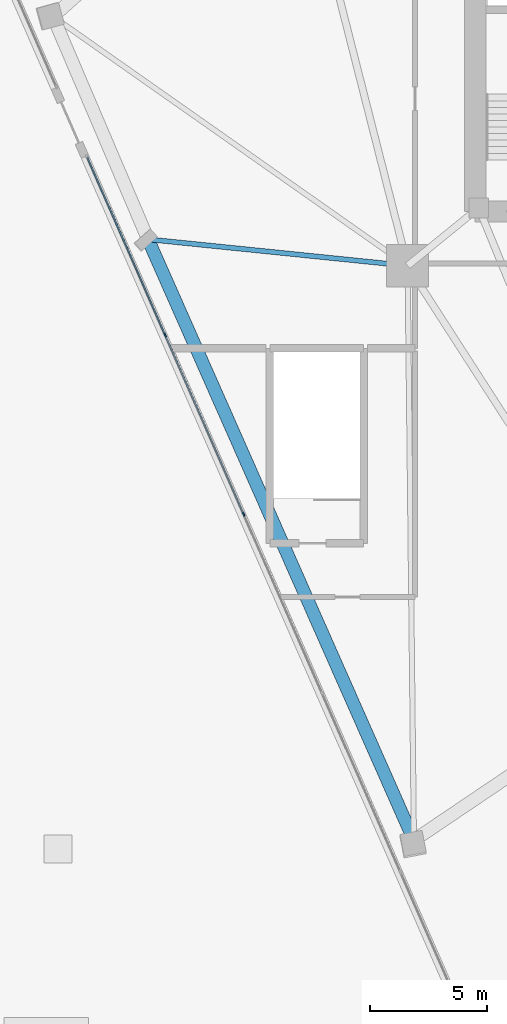
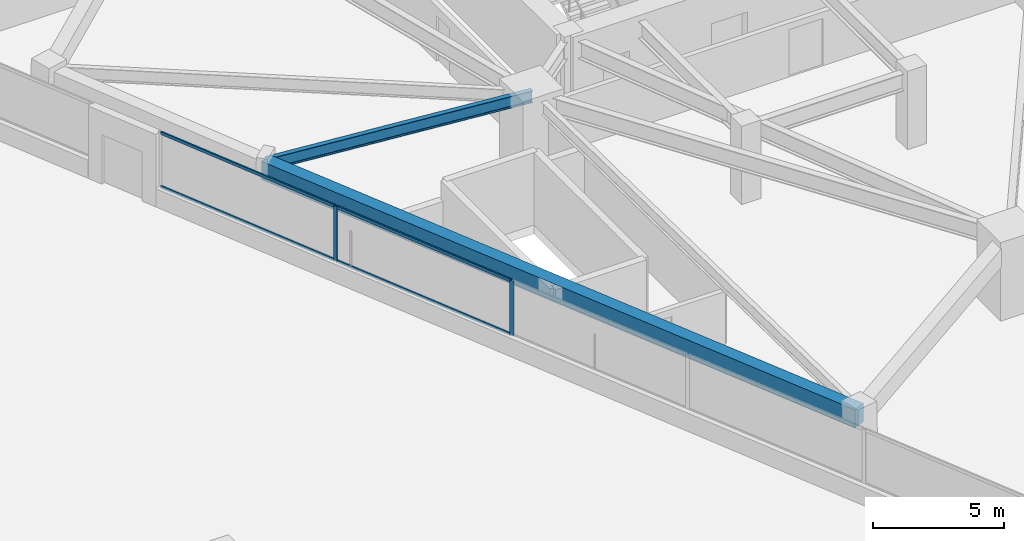
# One storey, part 5 of 21: 6 members, 2 beams, 1 element without a shape of its own.
"""IFC4 building model written with IfcOpenShell, lengths in metres."""

import ifcopenshell
import ifcopenshell.guid

model = None  # the IFC model being written
_history = None  # IfcOwnerHistory: only IFC2X3 demands one
_inside = {}  # id of a spatial element -> (the spatial element, [elements in it])
_under = {}  # id of a project, library or spatial element -> (it, [spatial elements below it])
_declared = {}  # id of a project -> (the project, [libraries it declares])
_typed = {}  # id of a type object -> (the type object, [elements of that type])
_made_of = {}  # id of a material, layer set ... -> (it, [elements and type objects made of it])


def new_model(schema):
    """Start an empty IFC model of exactly this schema.

    Asked for "IFC4X3", IfcOpenShell would pick the latest addendum, in which some entities
    have other attributes; the version numbers below select the first issue.
    IFC2X3 requires an IfcOwnerHistory on every rooted entity: one is made here for all.
    """
    global model, _history
    if schema == "IFC4X3":
        model = ifcopenshell.file(schema_version=(4, 3, 0, 0))
    else:
        model = ifcopenshell.file(schema=schema)
    _inside.clear()
    _under.clear()
    _declared.clear()
    _typed.clear()
    _made_of.clear()
    _history = None
    if model.schema == "IFC2X3":
        org = make("IfcOrganization", Name="unknown")
        user = make(
            "IfcPersonAndOrganization",
            ThePerson=make("IfcPerson", FamilyName="unknown"),
            TheOrganization=org,
        )
        app = make(
            "IfcApplication",
            ApplicationDeveloper=org,
            Version="unknown",
            ApplicationFullName="unknown",
            ApplicationIdentifier="unknown",
        )
        _history = make(
            "IfcOwnerHistory",
            OwningUser=user,
            OwningApplication=app,
            ChangeAction="ADDED",
            CreationDate=0,
        )
    return model


def make(cls, **values):
    """One entity of the class cls with the attributes given. An attribute that is None is left unset."""
    return model.create_entity(
        cls, **{name: value for name, value in values.items() if value is not None}
    )


def rooted(cls, **values):
    """An entity with a GlobalId (a new one), such as an element, a storey or a relation."""
    return make(cls, GlobalId=ifcopenshell.guid.new(), OwnerHistory=_history, **values)


def si_unit(unit_type, name, prefix=None):
    """IfcSIUnit, for example si_unit("LENGTHUNIT", "METRE", prefix="MILLI")."""
    return make("IfcSIUnit", UnitType=unit_type, Prefix=prefix, Name=name)


def assignment(units):
    """IfcUnitAssignment: the units of a project."""
    return None if units is None else make("IfcUnitAssignment", Units=units)


def point(xyz):
    """IfcCartesianPoint."""
    return None if xyz is None else make("IfcCartesianPoint", Coordinates=xyz)


def direction(xyz):
    """IfcDirection."""
    return None if xyz is None else make("IfcDirection", DirectionRatios=xyz)


def frame(location, z_axis=None, x_axis=None):
    """IfcAxis2Placement3D, a coordinate frame: its origin and axes. An axis left out is left unset."""
    return make(
        "IfcAxis2Placement3D",
        Location=point(location),
        Axis=direction(z_axis),
        RefDirection=direction(x_axis),
    )


def frame_2d(location, x_axis=None):
    """IfcAxis2Placement2D, a coordinate frame in the plane: its origin and x axis."""
    return make(
        "IfcAxis2Placement2D", Location=point(location), RefDirection=direction(x_axis)
    )


def origin():
    """The frame at (0, 0, 0) with its axes left unset."""
    return frame((0.0, 0.0, 0.0))


def origin_2d():
    """The frame at (0, 0) in the plane with its x axis left unset."""
    return frame_2d((0.0, 0.0))


def place(relative_to, where):
    """IfcLocalPlacement: puts the frame where relative to a parent placement (None: the world)."""
    return make(
        "IfcLocalPlacement", PlacementRelTo=relative_to, RelativePlacement=where
    )


def context(
    kind, dimensions, precision=None, world=None, true_north=None, identifier=None
):
    """IfcGeometricRepresentationContext, for example the 3D "Model" context."""
    return make(
        "IfcGeometricRepresentationContext",
        ContextIdentifier=identifier,
        ContextType=kind,
        CoordinateSpaceDimension=dimensions,
        Precision=precision,
        WorldCoordinateSystem=world,
        TrueNorth=true_north,
    )


def subcontext(parent, identifier, kind, view, scale=None):
    """IfcGeometricRepresentationSubContext, for example "Body" below "Model"."""
    return make(
        "IfcGeometricRepresentationSubContext",
        ContextIdentifier=identifier,
        ContextType=kind,
        ParentContext=parent,
        TargetScale=scale,
        TargetView=view,
    )


def project(units=None, contexts=None):
    """IfcProject with its units and contexts."""
    return rooted(
        "IfcProject",
        Name="project",
        RepresentationContexts=contexts,
        UnitsInContext=assignment(units),
    )


def spatial(cls, under=None, at=None, **own):
    """A site, building, storey or space (cls), placed at a placement, below another one or the project."""
    s = rooted(cls, ObjectPlacement=at, **own)
    if under is not None:
        _under.setdefault(under.id(), (under, []))[1].append(s)
    return s


def profile(cls, at=None, kind="AREA", **sizes):
    """A parametric profile (cls). Its sizes go by their IFC names, for example OverallWidth=200.0."""
    return make(cls, ProfileType=kind, Position=at, **sizes)


def rectangle(**sizes):
    """IfcRectangleProfileDef."""
    return profile("IfcRectangleProfileDef", **sizes)


def i_section(**sizes):
    """IfcIShapeProfileDef."""
    return profile("IfcIShapeProfileDef", **sizes)


def extrude(swept, where, along, depth):
    """IfcExtrudedAreaSolid: the profile swept, set in the frame where, extruded along a direction by depth."""
    return make(
        "IfcExtrudedAreaSolid",
        SweptArea=swept,
        Position=where,
        ExtrudedDirection=direction(along),
        Depth=depth,
    )


def shape(context_of_items, identifier, shape_type, items):
    """IfcShapeRepresentation: the items that make up one representation, for example the "Body"."""
    return make(
        "IfcShapeRepresentation",
        ContextOfItems=context_of_items,
        RepresentationIdentifier=identifier,
        RepresentationType=shape_type,
        Items=items,
    )


def material(Name=None, Category=None):
    """IfcMaterial."""
    return make("IfcMaterial", Name=Name, Category=Category)


def layer(
    of_material, thickness, ventilated=None, Name=None, Category=None, Priority=None
):
    """IfcMaterialLayer: one layer of a wall or slab, of a material (None: an air gap)."""
    return make(
        "IfcMaterialLayer",
        Material=of_material,
        LayerThickness=thickness,
        IsVentilated=ventilated,
        Name=Name,
        Category=Category,
        Priority=Priority,
    )


def layer_set(layers, Name=None):
    """IfcMaterialLayerSet."""
    return make("IfcMaterialLayerSet", MaterialLayers=layers, LayerSetName=Name)


def material_profile(
    of_material, cross_section, Name=None, Category=None, Priority=None
):
    """IfcMaterialProfile: a cross section and its material."""
    return make(
        "IfcMaterialProfile",
        Name=Name,
        Material=of_material,
        Profile=cross_section,
        Priority=Priority,
        Category=Category,
    )


def profile_set(profiles, Name=None, composite=None):
    """IfcMaterialProfileSet."""
    return make(
        "IfcMaterialProfileSet",
        Name=Name,
        MaterialProfiles=profiles,
        CompositeProfile=composite,
    )


def made_of(thing, what):
    """Note that an element or type object is made of a material, layer set ...; save() writes the relation."""
    if what is not None:
        _made_of.setdefault(what.id(), (what, []))[1].append(thing)
    return thing


def type_object(cls, material=None, **own):
    """A type object (cls), such as IfcWallType, which elements share."""
    return made_of(rooted(cls, **own), material)


def element(
    cls,
    number,
    at=None,
    inside=None,
    cuts=None,
    type_object=None,
    material=None,
    context=None,
    identifier="Body",
    shape_type=None,
    held_by="IfcProductDefinitionShape",
    body=None,
    shapes=None,
    **own,
):
    """One element of the class cls, such as IfcWall. Its Tag is "e" and its number.

    at: its placement. inside: the storey or other place that contains it. cuts: it is an
    opening in that element (IfcRelVoidsElement). A single representation is given by context,
    identifier, shape_type and body (its items); several are given by shapes. held_by: the class
    of the entity that holds the representations. save() writes the other relations.
    """
    e = rooted(cls, Tag="e%d" % number, ObjectPlacement=at, **own)
    if body is not None:
        shapes = [shape(context, identifier, shape_type, body)]
    if shapes is not None:
        e.Representation = make(held_by, Representations=shapes)
    if inside is not None:
        _inside.setdefault(inside.id(), (inside, []))[1].append(e)
    if cuts is not None:
        rooted(
            "IfcRelVoidsElement", RelatingBuildingElement=cuts, RelatedOpeningElement=e
        )
    if type_object is not None:
        _typed.setdefault(type_object.id(), (type_object, []))[1].append(e)
    return made_of(e, material)


def aggregate(whole, parts):
    """IfcRelAggregates: a whole, such as a stair, and the parts it consists of."""
    return rooted("IfcRelAggregates", RelatingObject=whole, RelatedObjects=parts)


def save(model, path):
    """Write the relations noted so far, then the file.

    IfcRelAggregates (storeys below a building ...), IfcRelContainedInSpatialStructure (elements
    in a storey), IfcRelDefinesByType, IfcRelAssociatesMaterial and IfcRelDeclares: one each for
    every whole, place, type object, material and project.
    """
    for whole, parts in _under.values():
        aggregate(whole, parts)
    for where, things in _inside.values():
        rooted(
            "IfcRelContainedInSpatialStructure",
            RelatedElements=things,
            RelatingStructure=where,
        )
    for kind, things in _typed.values():
        rooted("IfcRelDefinesByType", RelatedObjects=things, RelatingType=kind)
    for what, things in _made_of.values():
        rooted("IfcRelAssociatesMaterial", RelatedObjects=things, RelatingMaterial=what)
    for by, libraries in _declared.values():
        rooted("IfcRelDeclares", RelatingContext=by, RelatedDefinitions=libraries)
    model.write(path)


model = new_model("IFC4")

# Units and contexts
model_context = context("Model", 3, precision=1e-05, world=origin(), true_north=direction((0.0, 1.0)))
body_context = subcontext(model_context, "Body", "Model", "MODEL_VIEW")
ifc_project = project(units=[si_unit("LENGTHUNIT", "METRE"), si_unit("AREAUNIT", "SQUARE_METRE"), si_unit("VOLUMEUNIT", "CUBIC_METRE"), si_unit("PLANEANGLEUNIT", "RADIAN"), si_unit("MASSUNIT", "GRAM", prefix="KILO")], contexts=[model_context])

# Site, building, storey
site_placement = place(None, origin())
site = spatial("IfcSite", under=ifc_project, at=site_placement, CompositionType="ELEMENT")
building_placement = place(site_placement, origin())
building = spatial("IfcBuilding", under=site, at=building_placement, Name="Talyreon Biosciences Tower", CompositionType="ELEMENT")
storey_placement = place(building_placement, frame((0.0, 0.0, 22.800048828125)))
storey = spatial("IfcBuildingStorey", under=building, at=storey_placement, Name="L05", CompositionType="ELEMENT", Elevation=22.800048828125)

# Curtain wall, members
ifc_material_1 = material(Name="Thermally broken aluminium and low-E glazing", Category="aluminium")
ifc_layer = layer(ifc_material_1, 0.195068359375)
ifc_layer_set = layer_set([ifc_layer], Name="Thermally broken aluminium and low-E glazing")
curtain_wall_type = type_object("IfcCurtainWallType", Name="CurtainWall_Zone1WetLab", PredefinedType="NOTDEFINED", material=ifc_layer_set)
curtain_wall_placement = place(storey_placement, origin())
curtain_wall = element("IfcCurtainWall", 1, at=curtain_wall_placement, inside=storey, type_object=curtain_wall_type, Name="L05 Unitised Curtain Wall FCW-L05-00A", PredefinedType="NOTDEFINED")
ifc_material_2 = material(Name="Anodised thermally broken aluminium", Category="aluminium")
ifc_material_profile_1 = material_profile(ifc_material_2, rectangle(XDim=0.06494140625, YDim=0.179931640625, at=origin_2d()), Name="ALUM MULLION 65x180")
ifc_profile_set_1 = profile_set([ifc_material_profile_1], Name="Anodised thermally broken aluminium")
member_type_1 = type_object("IfcMemberType", Name="CWMullion_65x180", PredefinedType="MULLION", material=ifc_profile_set_1)
member_1_placement = place(storey_placement, frame((47.919677734375, 48.281005859375, 0.81005859375), z_axis=(0.0, 0.0, 1.0), x_axis=(-0.915927065786, -0.401344752253, 0.0)))
member_1 = element("IfcMember", 2, at=member_1_placement, type_object=member_type_1, Name="CW2 mullion 5", PredefinedType="MULLION", context=body_context, shape_type="SweptSolid", body=[
    extrude(rectangle(XDim=0.06494140625, YDim=0.179931640625, at=origin_2d()), origin(), (0.0, 0.0, 1.0), 2.56494140625),
])
member_2_placement = place(storey_placement, frame((44.572021484375, 55.9208984375, 0.81005859375), z_axis=(0.0, 0.0, 1.0), x_axis=(-0.915927065786, -0.401344752253, 0.0)))
member_2 = element("IfcMember", 3, at=member_2_placement, type_object=member_type_1, Name="CW2 mullion 6", PredefinedType="MULLION", context=body_context, shape_type="SweptSolid", body=[
    extrude(rectangle(XDim=0.06494140625, YDim=0.179931640625, at=origin_2d()), origin(), (0.0, 0.0, 1.0), 2.56494140625),
])
ifc_material_profile_2 = material_profile(ifc_material_2, rectangle(XDim=0.06494140625, YDim=0.139892578125, at=origin_2d()), Name="ALUM TRANSOM 65x140")
ifc_profile_set_2 = profile_set([ifc_material_profile_2], Name="Anodised thermally broken aluminium")
member_type_2 = type_object("IfcMemberType", Name="CWTransom_65x140", PredefinedType="USERDEFINED", material=ifc_profile_set_2)
member_3_placement = place(storey_placement, frame((47.90673828125, 48.310791015625, 0.842529296875), z_axis=(-0.401340281012, 0.915929025, 0.0), x_axis=(-0.915929025, -0.401340281012, 0.0)))
member_3 = element("IfcMember", 4, at=member_3_placement, type_object=member_type_2, Name="CW2 transom 5.1", ObjectType="TRANSOM", PredefinedType="USERDEFINED", context=body_context, shape_type="SweptSolid", body=[
    extrude(rectangle(XDim=0.06494140625, YDim=0.139892578125, at=origin_2d()), origin(), (0.0, 0.0, 1.0), 8.276123046875),
])
member_4_placement = place(storey_placement, frame((47.90673828125, 48.310791015625, 3.342529296875), z_axis=(-0.401340281012, 0.915929025, 0.0), x_axis=(-0.915929025, -0.401340281012, 0.0)))
member_4 = element("IfcMember", 5, at=member_4_placement, type_object=member_type_2, Name="CW2 transom 5.2", ObjectType="TRANSOM", PredefinedType="USERDEFINED", context=body_context, shape_type="SweptSolid", body=[
    extrude(rectangle(XDim=0.06494140625, YDim=0.139892578125, at=origin_2d()), origin(), (0.0, 0.0, 1.0), 8.276123046875),
])
member_5_placement = place(storey_placement, frame((44.55908203125, 55.95068359375, 0.842529296875), z_axis=(-0.401340767519, 0.915928811823, 0.0), x_axis=(-0.915928811823, -0.401340767519, 0.0)))
member_5 = element("IfcMember", 6, at=member_5_placement, type_object=member_type_2, Name="CW2 transom 6.1", ObjectType="TRANSOM", PredefinedType="USERDEFINED", context=body_context, shape_type="SweptSolid", body=[
    extrude(rectangle(XDim=0.06494140625, YDim=0.139892578125, at=origin_2d()), origin(), (0.0, 0.0, 1.0), 8.243896484375),
])
member_6_placement = place(storey_placement, frame((44.55908203125, 55.95068359375, 3.342529296875), z_axis=(-0.401340767519, 0.915928811823, 0.0), x_axis=(-0.915928811823, -0.401340767519, 0.0)))
member_6 = element("IfcMember", 7, at=member_6_placement, type_object=member_type_2, Name="CW2 transom 6.2", ObjectType="TRANSOM", PredefinedType="USERDEFINED", context=body_context, shape_type="SweptSolid", body=[
    extrude(rectangle(XDim=0.06494140625, YDim=0.139892578125, at=origin_2d()), origin(), (0.0, 0.0, 1.0), 8.243896484375),
])
aggregate(curtain_wall, [member_1, member_2, member_3, member_4, member_5, member_6])

# Beams
ifc_material_3 = material(Name="Precast concrete C45/55", Category="concrete")
ifc_material_profile_3 = material_profile(ifc_material_3, rectangle(XDim=0.550048828125, YDim=0.85009765625, at=origin_2d()), Name="RCB 550x850")
ifc_profile_set_3 = profile_set([ifc_material_profile_3], Name="Precast concrete C45/55")
beam_type_1 = type_object("IfcBeamType", Name="ExpressedSpandrel_550x850", PredefinedType="SPANDREL", material=ifc_profile_set_3)
beam_1_placement = place(storey_placement, frame((43.83984375, 60.009033203125, 2.949951171875), z_axis=(0.404610075366, -0.914489303881, 0.0), x_axis=(0.914489303881, 0.404610075366, 0.0)))
element("IfcBeam", 8, at=beam_1_placement, inside=storey, type_object=beam_type_1, Name="L05 Expressed Horizontal Concrete Spandrel 11", PredefinedType="SPANDREL", context=body_context, shape_type="SweptSolid", body=[
    extrude(rectangle(XDim=0.550048828125, YDim=0.85009765625, at=origin_2d()), origin(), (0.0, 0.0, 1.0), 28.036865234375),
])
ifc_material_4 = material(Name="Steel SM355", Category="steel")
ifc_material_profile_4 = material_profile(ifc_material_4, i_section(OverallWidth=0.2099609375, OverallDepth=0.550048828125, WebThickness=0.010986328125, FlangeThickness=0.01708984375, FilletRadius=0.02392578125, at=origin_2d()), Name="IPE550")
ifc_profile_set_4 = profile_set([ifc_material_profile_4], Name="Steel SM355")
beam_type_2 = type_object("IfcBeamType", Name="SteelJoist_IPE550", PredefinedType="JOIST", material=ifc_profile_set_4)
beam_2_placement = place(storey_placement, frame((54.913818359375, 58.88037109375, 3.099853515625), z_axis=(-0.994846249975, 0.101394964916, 0.0), x_axis=(-0.101394964916, -0.994846249975, 0.0)))
element("IfcBeam", 9, at=beam_2_placement, inside=storey, type_object=beam_type_2, Name="L05 Radial Composite Floor Joist PL-SW", PredefinedType="JOIST", context=body_context, shape_type="SweptSolid", body=[
    extrude(i_section(OverallWidth=0.2099609375, OverallDepth=0.550048828125, WebThickness=0.010986328125, FlangeThickness=0.01708984375, FilletRadius=0.02392578125, at=origin_2d()), origin(), (0.0, 0.0, 1.0), 11.13134765625),
])

save(model, "model.ifc")
